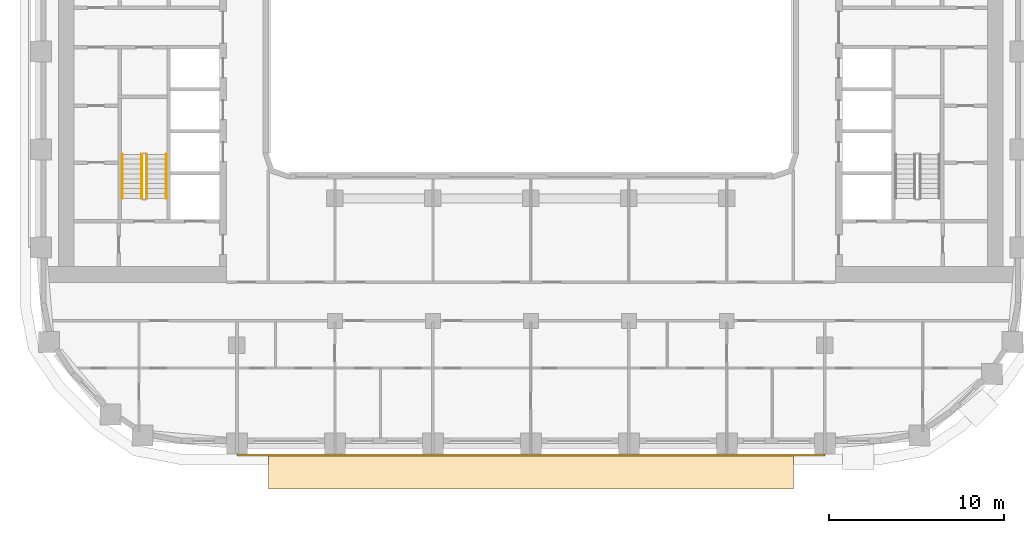
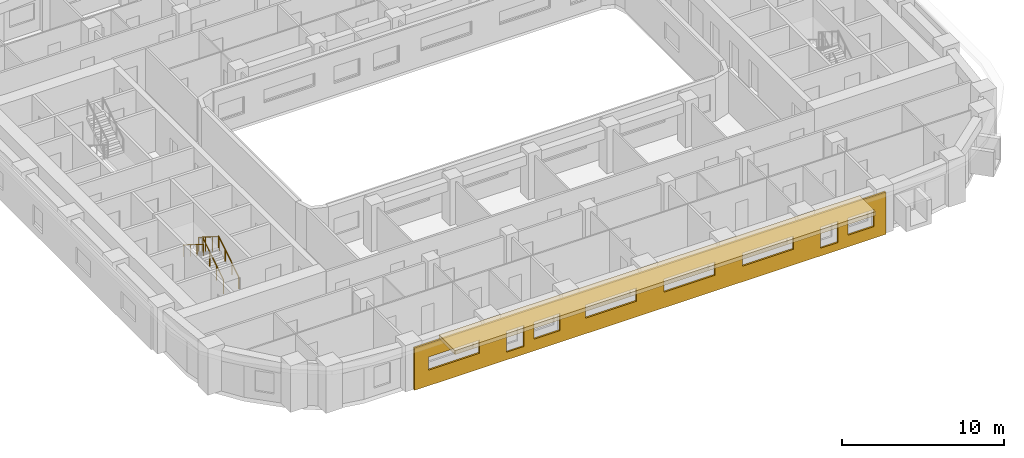
# One storey, part 12 of 22: 4 railings, 2 coverings.
"""IFC4 building model written with IfcOpenShell, lengths in metres."""

from ifc_helpers import new_model, si_unit, direction, frame, origin, origin_2d, place, context, subcontext, project, spatial, polyline, circle, outline, extrude, material, layer, layer_set, type_object, element, save


model = new_model("IFC4")

# Units and contexts
model_context = context("Model", 3, precision=1e-05, world=origin(), true_north=direction((0.0, 1.0)))
body_context = subcontext(model_context, "Body", "Model", "MODEL_VIEW")
ifc_project = project(units=[si_unit("LENGTHUNIT", "METRE"), si_unit("AREAUNIT", "SQUARE_METRE"), si_unit("VOLUMEUNIT", "CUBIC_METRE"), si_unit("PLANEANGLEUNIT", "RADIAN"), si_unit("MASSUNIT", "GRAM", prefix="KILO")], contexts=[model_context])

# Site, building, storey
site_placement = place(None, origin())
site = spatial("IfcSite", under=ifc_project, at=site_placement, CompositionType="ELEMENT")
building_placement = place(site_placement, origin())
building = spatial("IfcBuilding", under=site, at=building_placement, Name="Kiln Ring Residences", CompositionType="ELEMENT")
storey_placement = place(building_placement, frame((0.0, 0.0, 111.300048828125)))
storey = spatial("IfcBuildingStorey", under=building, at=storey_placement, Name="L28", CompositionType="ELEMENT", Elevation=111.300048828125)

# Railings
ifc_material_1 = material(Name="Stainless steel", Category="steel")
railing_type_1 = type_object("IfcRailingType", Name="CORE-STAIR-GUARD", PredefinedType="GUARDRAIL", material=ifc_material_1)
railing_1_placement = place(storey_placement, frame((-21.949951171875, -8.39990234375, 0.175048828125)))
element("IfcRailing", 1, at=railing_1_placement, inside=storey, type_object=railing_type_1, Name="L28 W-STS stair guard 1", PredefinedType="GUARDRAIL", context=body_context, shape_type="SweptSolid", body=[
    extrude(circle(Radius=0.02392578125, at=origin_2d()), frame((0.0, 0.0, 1.076171875), z_axis=(0.0, 0.848007534815, 0.529984170421), x_axis=(-1.0, 0.0, 0.0)), (0.0, 0.0, 1.0), 2.9716796875),
    extrude(circle(Radius=0.02099609375, at=origin_2d()), origin(), (0.0, 0.0, 1.0), 1.052001953125),
    extrude(circle(Radius=0.02099609375, at=origin_2d()), frame((0.0, 0.840087890625, 0.52490234375)), (0.0, 0.0, 1.0), 1.052001953125),
    extrude(circle(Radius=0.02099609375, at=origin_2d()), frame((0.0, 1.679931640625, 1.050048828125)), (0.0, 0.0, 1.0), 1.052001953125),
    extrude(circle(Radius=0.02099609375, at=origin_2d()), frame((0.0, 2.52001953125, 1.574951171875)), (0.0, 0.0, 1.0), 1.052001953125),
])
railing_2_placement = place(storey_placement, frame((-22.25, -5.8798828125, 1.925048828125)))
element("IfcRailing", 2, at=railing_2_placement, inside=storey, type_object=railing_type_1, Name="L28 W-STS stair guard 3", PredefinedType="GUARDRAIL", context=body_context, shape_type="SweptSolid", body=[
    extrude(circle(Radius=0.02392578125, at=origin_2d()), frame((0.0, 0.0, 1.076171875), z_axis=(0.0, -0.848007534815, 0.529984170421), x_axis=(1.0, 0.0, 0.0)), (0.0, 0.0, 1.0), 2.9716796875),
    extrude(circle(Radius=0.02099609375, at=origin_2d()), origin(), (0.0, 0.0, 1.0), 1.052001953125),
    extrude(circle(Radius=0.02099609375, at=origin_2d()), frame((0.0, -0.840087890625, 0.52490234375)), (0.0, 0.0, 1.0), 1.052001953125),
    extrude(circle(Radius=0.02099609375, at=origin_2d()), frame((0.0, -1.679931640625, 1.050048828125)), (0.0, 0.0, 1.0), 1.052001953125),
    extrude(circle(Radius=0.02099609375, at=origin_2d()), frame((0.0, -2.52001953125, 1.574951171875)), (0.0, 0.0, 1.0), 1.052001953125),
])
ifc_material_2 = material(Name="Stainless steel", Category="steel")
railing_type_2 = type_object("IfcRailingType", Name="CORE-STAIR-HANDRAIL", PredefinedType="HANDRAIL", material=ifc_material_2)
railing_3_placement = place(storey_placement, frame((-20.85009765625, -8.39990234375, 0.175048828125)))
element("IfcRailing", 3, at=railing_3_placement, inside=storey, type_object=railing_type_2, Name="L28 W-STS stair handrail 1", PredefinedType="HANDRAIL", context=body_context, shape_type="SweptSolid", body=[
    extrude(circle(Radius=0.02392578125, at=origin_2d()), frame((0.0, 0.0, 0.8759765625), z_axis=(0.0, 0.848007534815, 0.529984170421), x_axis=(-1.0, 0.0, 0.0)), (0.0, 0.0, 1.0), 2.9716796875),
    extrude(circle(Radius=0.02099609375, at=origin_2d()), origin(), (0.0, 0.0, 1.0), 0.851806640625),
    extrude(circle(Radius=0.02099609375, at=origin_2d()), frame((0.0, 0.840087890625, 0.52490234375)), (0.0, 0.0, 1.0), 0.851806640625),
    extrude(circle(Radius=0.02099609375, at=origin_2d()), frame((0.0, 1.679931640625, 1.050048828125)), (0.0, 0.0, 1.0), 0.851806640625),
    extrude(circle(Radius=0.02099609375, at=origin_2d()), frame((0.0, 2.52001953125, 1.574951171875)), (0.0, 0.0, 1.0), 0.851806640625),
])
railing_4_placement = place(storey_placement, frame((-23.35009765625, -5.8798828125, 1.925048828125)))
element("IfcRailing", 4, at=railing_4_placement, inside=storey, type_object=railing_type_2, Name="L28 W-STS stair handrail 2", PredefinedType="HANDRAIL", context=body_context, shape_type="SweptSolid", body=[
    extrude(circle(Radius=0.02392578125, at=origin_2d()), frame((0.0, 0.0, 0.8759765625), z_axis=(0.0, -0.848007534815, 0.529984170421), x_axis=(1.0, 0.0, 0.0)), (0.0, 0.0, 1.0), 2.9716796875),
    extrude(circle(Radius=0.02099609375, at=origin_2d()), origin(), (0.0, 0.0, 1.0), 0.851806640625),
    extrude(circle(Radius=0.02099609375, at=origin_2d()), frame((0.0, -0.840087890625, 0.52490234375)), (0.0, 0.0, 1.0), 0.851806640625),
    extrude(circle(Radius=0.02099609375, at=origin_2d()), frame((0.0, -1.679931640625, 1.050048828125)), (0.0, 0.0, 1.0), 0.851806640625),
    extrude(circle(Radius=0.02099609375, at=origin_2d()), frame((0.0, -2.52001953125, 1.574951171875)), (0.0, 0.0, 1.0), 0.851806640625),
])

# Coverings
ifc_material_3 = material(Name="Brick masonry, dark clay brick", Category="masonry")
ifc_layer_1 = layer(ifc_material_3, 0.1201171875)
ifc_layer_set_1 = layer_set([ifc_layer_1], Name="RAINSCREEN PANEL 120")
covering_type_1 = type_object("IfcCoveringType", Name="RAINSCREEN PANEL 120", PredefinedType="CLADDING", material=ifc_layer_set_1)
covering_1_placement = place(storey_placement, frame((-16.800048828125, -23.06005859375, 0.0), z_axis=(0.0, 0.0, 1.0), x_axis=(1.0, 0.0, 0.0)))
element("IfcCovering", 5, at=covering_1_placement, inside=storey, type_object=covering_type_1, Name="RAINSCREEN L28", PredefinedType="CLADDING", context=body_context, shape_type="SweptSolid", body=[
    extrude(outline(polyline([(0.0, 0.0), (33.60009765625, 0.0), (33.60009765625, 3.199951171875), (0.0, 3.199951171875), (0.0, 0.0)]), holes=[polyline([(6.54248046875, 0.579833984375), (7.782470703125, 0.579833984375), (7.782470703125, 2.169921875), (6.54248046875, 2.169921875), (6.54248046875, 0.579833984375)]), polyline([(28.9423828125, 0.579833984375), (30.1826171875, 0.579833984375), (30.1826171875, 2.169921875), (28.9423828125, 2.169921875), (28.9423828125, 0.579833984375)]), polyline([(8.517578125, 0.8798828125), (10.357421875, 0.8798828125), (10.357421875, 2.169921875), (8.517578125, 2.169921875), (8.517578125, 0.8798828125)]), polyline([(30.91748046875, 0.8798828125), (32.757568359375, 0.8798828125), (32.757568359375, 2.169921875), (30.91748046875, 2.169921875), (30.91748046875, 0.8798828125)]), polyline([(0.97998046875, 1.179931640625), (4.6201171875, 1.179931640625), (4.6201171875, 2.169921875), (0.97998046875, 2.169921875), (0.97998046875, 1.179931640625)]), polyline([(12.179931640625, 1.179931640625), (15.820068359375, 1.179931640625), (15.820068359375, 2.169921875), (12.179931640625, 2.169921875), (12.179931640625, 1.179931640625)]), polyline([(17.780029296875, 1.179931640625), (21.419921875, 1.179931640625), (21.419921875, 2.169921875), (17.780029296875, 2.169921875), (17.780029296875, 1.179931640625)]), polyline([(23.3798828125, 1.179931640625), (27.02001953125, 1.179931640625), (27.02001953125, 2.169921875), (23.3798828125, 2.169921875), (23.3798828125, 1.179931640625)])]), frame((0.0, 0.06005859375, 0.0), z_axis=(0.0, -1.0, 0.0), x_axis=(1.0, 0.0, 0.0)), (0.0, 0.0, 1.0), 0.1201171875),
])
ifc_material_4 = material(Name="Black powder-coated steel", Category="steel")
ifc_layer_2 = layer(ifc_material_4, 0.300048828125)
ifc_layer_set_2 = layer_set([ifc_layer_2], Name="SUNSHADE BAND 2000")
covering_type_2 = type_object("IfcCoveringType", Name="SUNSHADE BAND 2000", PredefinedType="CLADDING", material=ifc_layer_set_2)
covering_2_placement = place(storey_placement, frame((0.0, 0.0, 3.199951171875)))
element("IfcCovering", 6, at=covering_2_placement, inside=storey, type_object=covering_type_2, Name="SUNSHADE BAND L28", PredefinedType="CLADDING", context=body_context, shape_type="SweptSolid", body=[
    extrude(outline(polyline([(-15.0, -25.0), (15.0, -25.0), (15.0, -23.0), (-15.0, -23.0), (-15.0, -25.0)])), origin(), (0.0, 0.0, 1.0), 0.300048828125),
])

save(model, "model.ifc")
